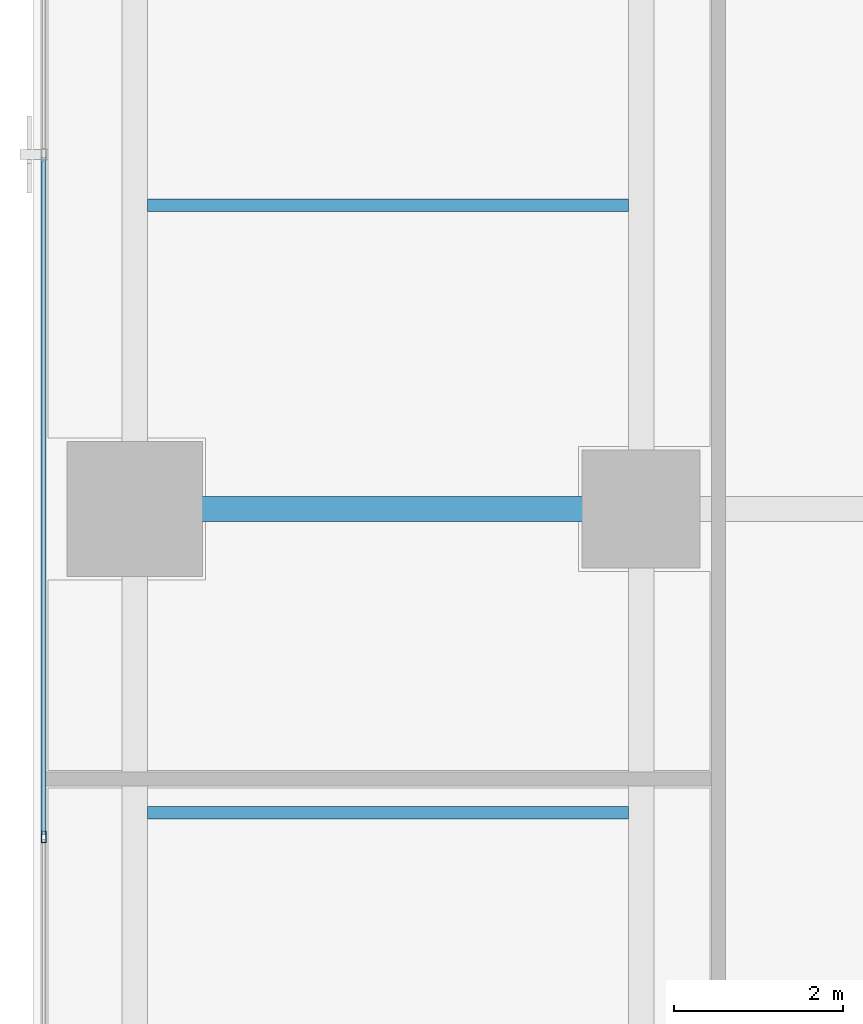
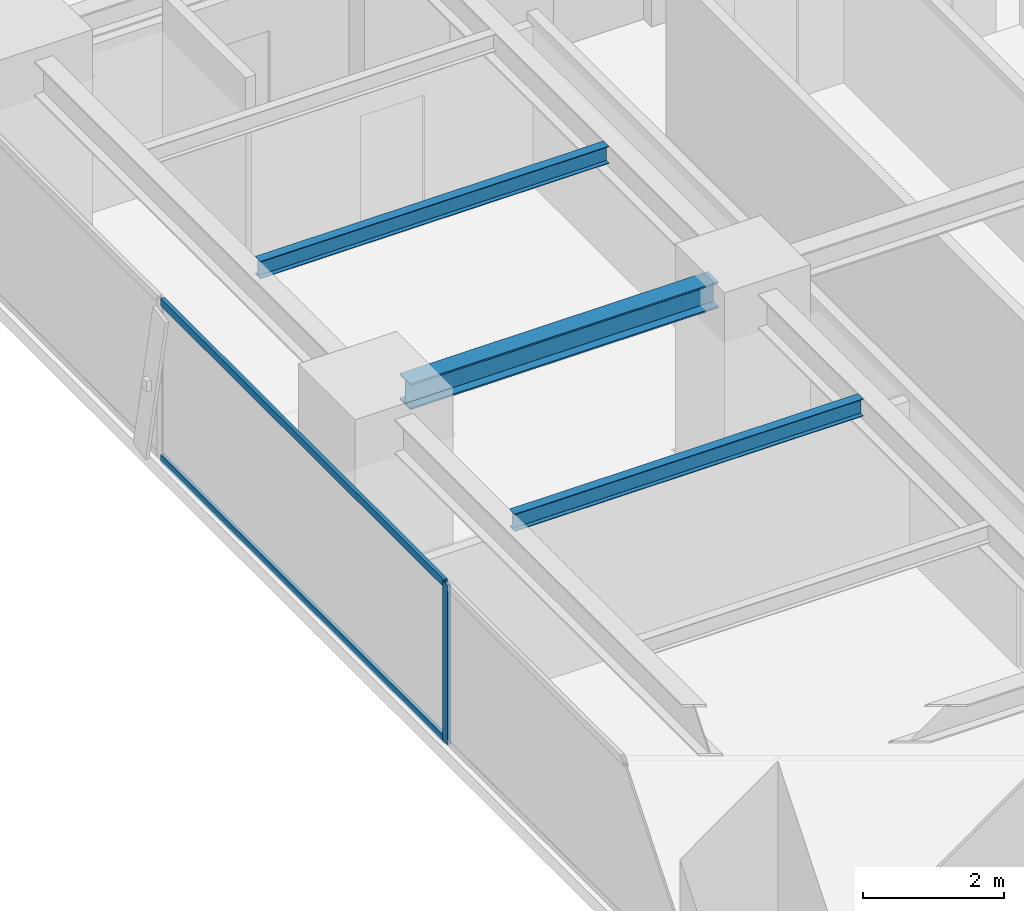
# One storey, part 4 of 29: 3 beams, 3 members, 1 element without a shape of its own.
"""IFC4 building model written with IfcOpenShell, lengths in metres."""

from ifc_helpers import new_model, si_unit, direction, frame, origin, origin_2d, place, context, subcontext, project, spatial, hollow_rectangle, i_section, extrude, source, transform, mapped, material, layer, layer_set, material_profile, profile_set, type_object, element, aggregate, save


model = new_model("IFC4")

# Units and contexts
model_context = context("Model", 3, precision=1e-05, world=origin(), true_north=direction((0.0, 1.0)))
body_context = subcontext(model_context, "Body", "Model", "MODEL_VIEW")
ifc_project = project(units=[si_unit("LENGTHUNIT", "METRE"), si_unit("AREAUNIT", "SQUARE_METRE"), si_unit("VOLUMEUNIT", "CUBIC_METRE"), si_unit("PLANEANGLEUNIT", "RADIAN"), si_unit("MASSUNIT", "GRAM", prefix="KILO")], contexts=[model_context])

# Site, building, storey
site_placement = place(None, origin())
site = spatial("IfcSite", under=ifc_project, at=site_placement, CompositionType="ELEMENT")
building_placement = place(site_placement, origin())
building = spatial("IfcBuilding", under=site, at=building_placement, Name="Sumidabori Civic Tower", CompositionType="ELEMENT")
storey_placement = place(building_placement, frame((0.0, 0.0, 218.0)))
storey = spatial("IfcBuildingStorey", under=building, at=storey_placement, Name="L56", CompositionType="ELEMENT", Elevation=218.0)

# Beams
ifc_material_1 = material(Name="Steel SN490", Category="steel")
ifc_material_profile_1 = material_profile(ifc_material_1, i_section(OverallWidth=0.14990234375, OverallDepth=0.300048828125, WebThickness=0.007080078125, FlangeThickness=0.0107421875, at=origin_2d()), Name="IPE 300")
ifc_profile_set_1 = profile_set([ifc_material_profile_1], Name="Steel SN490")
beam_type_1 = type_object("IfcBeamType", Name="BM-JST-300", PredefinedType="JOIST", material=ifc_profile_set_1)
shared_shape_1 = source(origin(), body_context, "Body", "SweptSolid", [
    extrude(i_section(OverallWidth=0.14990234375, OverallDepth=0.300048828125, WebThickness=0.007080078125, FlangeThickness=0.0107421875, at=origin_2d()), origin(), (0.0, 0.0, 1.0), 5.699951171875),
])
for number, where, z_axis, x_axis, name in (
    (1, (-22.64990234375, -3.60009765625, 3.22998046875), (1.0, 0.0, 0.0), (0.0, 1.0, 0.0), "Outer Bay Floor Joist L56 JSTO-27"),
    (2, (-22.64990234375, 3.60009765625, 3.22998046875), (1.0, 0.0, 0.0), (0.0, 1.0, 0.0), "Outer Bay Floor Joist L56 JSTO-29"),
):
    element("IfcBeam", number, at=place(storey_placement, frame(where, z_axis=z_axis, x_axis=x_axis)), inside=storey, type_object=beam_type_1, Name=name, PredefinedType="JOIST", context=body_context, shape_type="MappedRepresentation", body=[
        mapped(shared_shape_1, transform((0.0, 0.0, 0.0), x_axis=(1.0, 0.0, 0.0), y_axis=(0.0, 1.0, 0.0), z_axis=(0.0, 0.0, 1.0), scale=1.0)),
    ])
ifc_material_profile_2 = material_profile(ifc_material_1, i_section(OverallWidth=0.300048828125, OverallDepth=0.449951171875, WebThickness=0.013916015625, FlangeThickness=0.02587890625, at=origin_2d()), Name="HE 450 B")
ifc_profile_set_2 = profile_set([ifc_material_profile_2], Name="Steel SN490")
beam_type_2 = type_object("IfcBeamType", Name="BM-GIRD-450", PredefinedType="BEAM", material=ifc_profile_set_2)
shared_shape_2 = source(origin(), body_context, "Body", "SweptSolid", [
    extrude(i_section(OverallWidth=0.300048828125, OverallDepth=0.449951171875, WebThickness=0.013916015625, FlangeThickness=0.02587890625, at=origin_2d()), origin(), (0.0, 0.0, 1.0), 5.0400390625),
])
beam_placement = place(storey_placement, frame((-22.320068359375, 0.0, 3.155029296875), z_axis=(1.0, 0.0, 0.0), x_axis=(0.0, 1.0, 0.0)))
element("IfcBeam", 3, at=beam_placement, inside=storey, type_object=beam_type_2, Name="Primary Girder L56 GX-05", PredefinedType="BEAM", context=body_context, shape_type="MappedRepresentation", body=[
    mapped(shared_shape_2, transform((0.0, 0.0, 0.0), x_axis=(1.0, 0.0, 0.0), y_axis=(0.0, 1.0, 0.0), z_axis=(0.0, 0.0, 1.0), scale=1.0)),
])

# Curtain wall, members
ifc_material_2 = material(Name="Anodised Bronze Aluminium AW-6063-T6", Category="aluminium")
ifc_layer = layer(ifc_material_2, 0.179931640625, Name="Anodised Bronze Aluminium AW-6063-T6")
ifc_layer_set = layer_set([ifc_layer], Name="Anodised Bronze Aluminium AW-6063-T6")
curtain_wall_type = type_object("IfcCurtainWallType", Name="CW-SYS-5", PredefinedType="NOTDEFINED", material=ifc_layer_set)
curtain_wall_placement = place(storey_placement, origin())
curtain_wall = element("IfcCurtainWall", 4, at=curtain_wall_placement, inside=storey, type_object=curtain_wall_type, Name="Curtain Wall CW:L56:R16", PredefinedType="NOTDEFINED")
ifc_material_profile_3 = material_profile(ifc_material_2, hollow_rectangle(XDim=0.06005859375, YDim=0.139892578125, WallThickness=0.0048828125, at=origin_2d()), Name="ALU MULLION 140x60")
ifc_profile_set_3 = profile_set([ifc_material_profile_3], Name="Anodised Bronze Aluminium AW-6063-T6")
member_type_1 = type_object("IfcMemberType", Name="CW-MUL-140", PredefinedType="MULLION", material=ifc_profile_set_3)
shared_shape_3 = source(origin(), body_context, "Body", "SweptSolid", [
    extrude(hollow_rectangle(XDim=0.06005859375, YDim=0.139892578125, WallThickness=0.0048828125, at=origin_2d()), origin(), (0.0, 0.0, 1.0), 2.760009765625),
])
member_1_placement = place(storey_placement, frame((-23.8798828125, -3.885009765625, 0.0), z_axis=(0.0, 0.0, 1.0), x_axis=(1.0, 0.0, 0.0)))
member_1 = element("IfcMember", 5, at=member_1_placement, type_object=member_type_1, Name="CW-5 mullion 4", PredefinedType="MULLION", context=body_context, shape_type="MappedRepresentation", body=[
    mapped(shared_shape_3, transform((0.0, 0.0, 0.0), x_axis=(1.0, 0.0, 0.0), y_axis=(0.0, 1.0, 0.0), z_axis=(0.0, 0.0, 1.0), scale=1.0)),
])
ifc_material_profile_4 = material_profile(ifc_material_2, hollow_rectangle(XDim=0.06005859375, YDim=0.1298828125, WallThickness=0.0048828125, at=origin_2d()), Name="ALU TRANSOM 130x60")
ifc_profile_set_4 = profile_set([ifc_material_profile_4], Name="Anodised Bronze Aluminium AW-6063-T6")
member_type_2 = type_object("IfcMemberType", Name="CW-TRN-130", PredefinedType="USERDEFINED", material=ifc_profile_set_4)
shared_shape_4 = source(origin(), body_context, "Body", "SweptSolid", [
    extrude(hollow_rectangle(XDim=0.06005859375, YDim=0.1298828125, WallThickness=0.0048828125, at=origin_2d()), origin(), (0.0, 0.0, 1.0), 8.02490234375),
])
member_2_placement = place(storey_placement, frame((-23.8798828125, 4.169921875, 0.030029296875), z_axis=(0.0, -1.0, 0.0), x_axis=(1.0, 0.0, 0.0)))
member_2 = element("IfcMember", 6, at=member_2_placement, type_object=member_type_2, Name="CW-5 transom 3.1", ObjectType="TRANSOM", PredefinedType="USERDEFINED", context=body_context, shape_type="MappedRepresentation", body=[
    mapped(shared_shape_4, transform((0.0, 0.0, 0.0), x_axis=(1.0, 0.0, 0.0), y_axis=(0.0, 1.0, 0.0), z_axis=(0.0, 0.0, 1.0), scale=1.0)),
])
member_3_placement = place(storey_placement, frame((-23.8798828125, 4.169921875, 2.72998046875), z_axis=(0.0, -1.0, 0.0), x_axis=(1.0, 0.0, 0.0)))
member_3 = element("IfcMember", 7, at=member_3_placement, type_object=member_type_2, Name="CW-5 transom 3.2", ObjectType="TRANSOM", PredefinedType="USERDEFINED", context=body_context, shape_type="MappedRepresentation", body=[
    mapped(shared_shape_4, transform((0.0, 0.0, 0.0), x_axis=(1.0, 0.0, 0.0), y_axis=(0.0, 1.0, 0.0), z_axis=(0.0, 0.0, 1.0), scale=1.0)),
])
aggregate(curtain_wall, [member_1, member_2, member_3])

save(model, "model.ifc")
